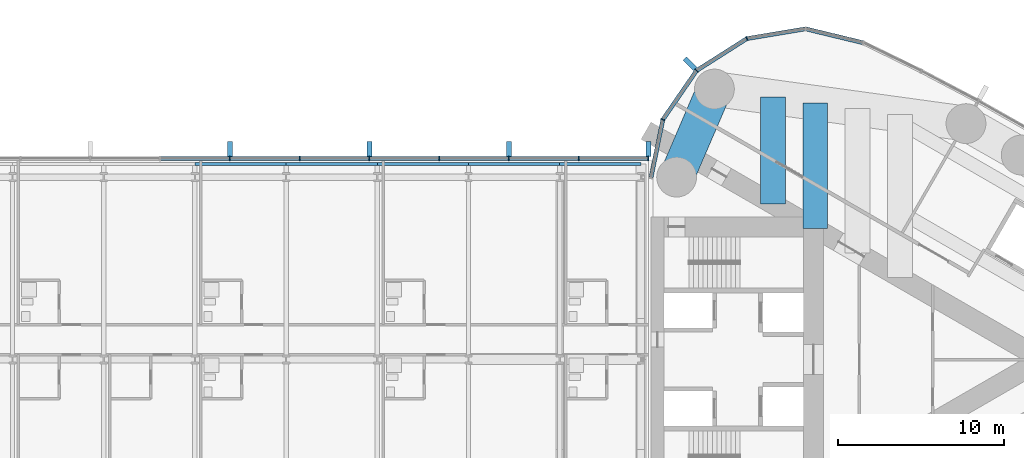
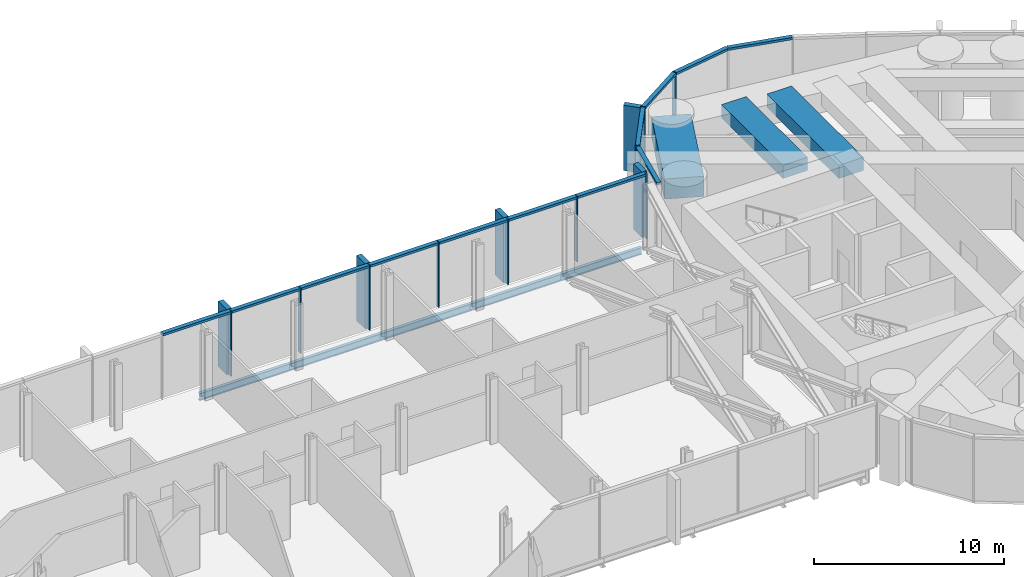
# One storey, part 11 of 23: 27 members, 8 beams, 2 elements without a shape of their own.
"""IFC4 building model written with IfcOpenShell, lengths in metres."""

from ifc_helpers import new_model, si_unit, direction, frame, origin, origin_2d, place, context, subcontext, project, spatial, rectangle, i_section, extrude, material, material_profile, profile_set, type_object, element, aggregate, save


model = new_model("IFC4")

# Units and contexts
model_context = context("Model", 3, precision=1e-05, world=origin(), true_north=direction((0.0, 1.0)))
body_context = subcontext(model_context, "Body", "Model", "MODEL_VIEW")
ifc_project = project(units=[si_unit("LENGTHUNIT", "METRE"), si_unit("AREAUNIT", "SQUARE_METRE"), si_unit("VOLUMEUNIT", "CUBIC_METRE"), si_unit("PLANEANGLEUNIT", "RADIAN"), si_unit("MASSUNIT", "GRAM", prefix="KILO")], contexts=[model_context])

# Site, building, storey
site_placement = place(None, origin())
site = spatial("IfcSite", under=ifc_project, at=site_placement, CompositionType="ELEMENT")
building_placement = place(site_placement, origin())
building = spatial("IfcBuilding", under=site, at=building_placement, Name="Lancet Gate Hotel", CompositionType="ELEMENT")
storey_placement = place(building_placement, frame((0.0, 0.0, 247.699951171875)))
storey = spatial("IfcBuildingStorey", under=building, at=storey_placement, Name="L66", CompositionType="ELEMENT", Elevation=247.699951171875)

# Curtain wall, members
ifc_material_1 = material(Name="Aluminium curtain wall", Category="aluminium")
curtain_wall_type = type_object("IfcCurtainWallType", Name="Sky deck full-height glazing", PredefinedType="USERDEFINED", material=ifc_material_1)
curtain_wall_1_placement = place(storey_placement, origin())
curtain_wall_1 = element("IfcCurtainWall", 1, at=curtain_wall_1_placement, inside=storey, type_object=curtain_wall_type, Name="T2 L66 curtain wall 1", ObjectType="UNITISED CURTAIN WALL", PredefinedType="USERDEFINED")
ifc_material_2 = material(Name="Aluminium mullion", Category="aluminium")
ifc_material_profile_1 = material_profile(ifc_material_2, rectangle(XDim=0.06494140625, YDim=0.25, at=origin_2d()), Name="MULLION 65x250")
ifc_profile_set_1 = profile_set([ifc_material_profile_1], Name="Aluminium mullion")
member_type_1 = type_object("IfcMemberType", Name="Aluminium mullion 65x250", PredefinedType="MULLION", material=ifc_profile_set_1)
member_1_placement = place(storey_placement, frame((33.283203125, 19.353515625, 0.0), z_axis=(0.0, 0.0, 1.0), x_axis=(-0.93394321776, -0.357421412343, 0.0)))
member_1 = element("IfcMember", 2, at=member_1_placement, type_object=member_type_1, Name="T2 L66 curtain wall 1 mullion 24", PredefinedType="MULLION", context=body_context, shape_type="SweptSolid", body=[
    extrude(rectangle(XDim=0.06494140625, YDim=0.25, at=origin_2d()), origin(), (0.0, 0.0, 1.0), 4.199951171875),
])
member_2_placement = place(storey_placement, frame((30.25244140625, 17.42626953125, 0.0), z_axis=(0.0, 0.0, 1.0), x_axis=(-0.719809077627, -0.694172090886, 0.0)))
member_2 = element("IfcMember", 3, at=member_2_placement, type_object=member_type_1, Name="T2 L66 curtain wall 1 mullion 25", PredefinedType="MULLION", context=body_context, shape_type="SweptSolid", body=[
    extrude(rectangle(XDim=0.06494140625, YDim=0.25, at=origin_2d()), origin(), (0.0, 0.0, 1.0), 4.199951171875),
])
member_3_placement = place(storey_placement, frame((28.216552734375, 14.467529296875, 0.0), z_axis=(0.0, 0.0, 1.0), x_axis=(-0.391042139098, -0.920372775265, 0.0)))
member_3 = element("IfcMember", 4, at=member_3_placement, type_object=member_type_1, Name="T2 L66 curtain wall 1 mullion 26", PredefinedType="MULLION", context=body_context, shape_type="SweptSolid", body=[
    extrude(rectangle(XDim=0.06494140625, YDim=0.25, at=origin_2d()), origin(), (0.0, 0.0, 1.0), 4.199951171875),
])

curtain_wall_2_placement = place(storey_placement, origin())
curtain_wall_2 = element("IfcCurtainWall", 5, at=curtain_wall_2_placement, inside=storey, type_object=curtain_wall_type, Name="Bridge block L66 curtain wall N", ObjectType="UNITISED CURTAIN WALL", PredefinedType="USERDEFINED")
member_4_placement = place(storey_placement, frame((27.35009765625, 12.1201171875, 0.0), z_axis=(0.0, 0.0, 1.0), x_axis=(-1.0, 0.0, 0.0)))
member_4 = element("IfcMember", 6, at=member_4_placement, type_object=member_type_1, Name="Bridge block L66 curtain wall N mullion 1", PredefinedType="MULLION", context=body_context, shape_type="SweptSolid", body=[
    extrude(rectangle(XDim=0.06494140625, YDim=0.25, at=origin_2d()), origin(), (0.0, 0.0, 1.0), 4.199951171875),
])
member_5_placement = place(storey_placement, frame((23.142333984375, 12.1201171875, 0.0), z_axis=(0.0, 0.0, 1.0), x_axis=(-1.0, 0.0, 0.0)))
member_5 = element("IfcMember", 7, at=member_5_placement, type_object=member_type_1, Name="Bridge block L66 curtain wall N mullion 2", PredefinedType="MULLION", context=body_context, shape_type="SweptSolid", body=[
    extrude(rectangle(XDim=0.06494140625, YDim=0.25, at=origin_2d()), origin(), (0.0, 0.0, 1.0), 4.199951171875),
])
member_6_placement = place(storey_placement, frame((18.9345703125, 12.1201171875, 0.0), z_axis=(0.0, 0.0, 1.0), x_axis=(-1.0, 0.0, 0.0)))
member_6 = element("IfcMember", 8, at=member_6_placement, type_object=member_type_1, Name="Bridge block L66 curtain wall N mullion 3", PredefinedType="MULLION", context=body_context, shape_type="SweptSolid", body=[
    extrude(rectangle(XDim=0.06494140625, YDim=0.25, at=origin_2d()), origin(), (0.0, 0.0, 1.0), 4.199951171875),
])
member_7_placement = place(storey_placement, frame((14.726806640625, 12.1201171875, 0.0), z_axis=(0.0, 0.0, 1.0), x_axis=(-1.0, 0.0, 0.0)))
member_7 = element("IfcMember", 9, at=member_7_placement, type_object=member_type_1, Name="Bridge block L66 curtain wall N mullion 4", PredefinedType="MULLION", context=body_context, shape_type="SweptSolid", body=[
    extrude(rectangle(XDim=0.06494140625, YDim=0.25, at=origin_2d()), origin(), (0.0, 0.0, 1.0), 4.199951171875),
])
member_8_placement = place(storey_placement, frame((10.519287109375, 12.1201171875, 0.0), z_axis=(0.0, 0.0, 1.0), x_axis=(-1.0, 0.0, 0.0)))
member_8 = element("IfcMember", 10, at=member_8_placement, type_object=member_type_1, Name="Bridge block L66 curtain wall N mullion 5", PredefinedType="MULLION", context=body_context, shape_type="SweptSolid", body=[
    extrude(rectangle(XDim=0.06494140625, YDim=0.25, at=origin_2d()), origin(), (0.0, 0.0, 1.0), 4.199951171875),
])
member_9_placement = place(storey_placement, frame((6.3115234375, 12.1201171875, 0.0), z_axis=(0.0, 0.0, 1.0), x_axis=(-1.0, 0.0, 0.0)))
member_9 = element("IfcMember", 11, at=member_9_placement, type_object=member_type_1, Name="Bridge block L66 curtain wall N mullion 6", PredefinedType="MULLION", context=body_context, shape_type="SweptSolid", body=[
    extrude(rectangle(XDim=0.06494140625, YDim=0.25, at=origin_2d()), origin(), (0.0, 0.0, 1.0), 4.199951171875),
])
member_10_placement = place(storey_placement, frame((2.103759765625, 12.1201171875, 0.0), z_axis=(0.0, 0.0, 1.0), x_axis=(-1.0, 0.0, 0.0)))
member_10 = element("IfcMember", 12, at=member_10_placement, type_object=member_type_1, Name="Bridge block L66 curtain wall N mullion 7", PredefinedType="MULLION", context=body_context, shape_type="SweptSolid", body=[
    extrude(rectangle(XDim=0.06494140625, YDim=0.25, at=origin_2d()), origin(), (0.0, 0.0, 1.0), 4.199951171875),
])

# Member
ifc_material_3 = material(Name="Aluminium transom", Category="aluminium")
ifc_material_profile_2 = material_profile(ifc_material_3, rectangle(XDim=0.25, YDim=0.14990234375, at=origin_2d()), Name="TRANSOM 250x150")
ifc_profile_set_2 = profile_set([ifc_material_profile_2], Name="Aluminium transom")
member_type_2 = type_object("IfcMemberType", Name="Aluminium transom 250x150", PredefinedType="USERDEFINED", material=ifc_profile_set_2)
member_11_placement = place(storey_placement, frame((40.28564453125, 19.10595703125, 4.125), z_axis=(-0.972002653858, 0.234969872307, 0.0), x_axis=(-0.234969872307, -0.972002653858, 0.0)))
member_11 = element("IfcMember", 13, at=member_11_placement, type_object=member_type_2, Name="T2 L66 curtain wall 1 transom 22", ObjectType="TRANSOM", PredefinedType="USERDEFINED", context=body_context, shape_type="SweptSolid", body=[
    extrude(rectangle(XDim=0.25, YDim=0.14990234375, at=origin_2d()), origin(), (0.0, 0.0, 1.0), 3.5263671875),
])

member_12_placement = place(storey_placement, frame((36.794189453125, 19.936767578125, 4.125), z_axis=(-0.986483584545, -0.163860115412, 0.0), x_axis=(0.163860115412, -0.986483584545, 0.0)))
member_12 = element("IfcMember", 14, at=member_12_placement, type_object=member_type_2, Name="T2 L66 curtain wall 1 transom 23", ObjectType="TRANSOM", PredefinedType="USERDEFINED", context=body_context, shape_type="SweptSolid", body=[
    extrude(rectangle(XDim=0.25, YDim=0.14990234375, at=origin_2d()), origin(), (0.0, 0.0, 1.0), 3.526611328125),
])

member_13_placement = place(storey_placement, frame((33.255859375, 19.336181640625, 4.125), z_axis=(-0.84385811281, -0.536566384938, 0.0), x_axis=(0.536566384938, -0.84385811281, 0.0)))
member_13 = element("IfcMember", 15, at=member_13_placement, type_object=member_type_2, Name="T2 L66 curtain wall 1 transom 24", ObjectType="TRANSOM", PredefinedType="USERDEFINED", context=body_context, shape_type="SweptSolid", body=[
    extrude(rectangle(XDim=0.25, YDim=0.14990234375, at=origin_2d()), origin(), (0.0, 0.0, 1.0), 3.52685546875),
])

member_14_placement = place(storey_placement, frame((30.234130859375, 17.399658203125, 4.125), z_axis=(-0.566813768052, -0.82384595183, 0.0), x_axis=(0.82384595183, -0.566813768052, 0.0)))
member_14 = element("IfcMember", 16, at=member_14_placement, type_object=member_type_2, Name="T2 L66 curtain wall 1 transom 25", ObjectType="TRANSOM", PredefinedType="USERDEFINED", context=body_context, shape_type="SweptSolid", body=[
    extrude(rectangle(XDim=0.25, YDim=0.14990234375, at=origin_2d()), origin(), (0.0, 0.0, 1.0), 3.52685546875),
])

member_15_placement = place(storey_placement, frame((28.210205078125, 14.435546875, 4.125), z_axis=(-0.19952323725, -0.979893095086, 0.0), x_axis=(0.979893095086, -0.19952323725, 0.0)))
member_15 = element("IfcMember", 17, at=member_15_placement, type_object=member_type_2, Name="T2 L66 curtain wall 1 transom 26", ObjectType="TRANSOM", PredefinedType="USERDEFINED", context=body_context, shape_type="SweptSolid", body=[
    extrude(rectangle(XDim=0.25, YDim=0.14990234375, at=origin_2d()), origin(), (0.0, 0.0, 1.0), 3.5263671875),
])

member_16_placement = place(storey_placement, frame((27.3173828125, 12.1201171875, 4.125), z_axis=(-1.0, 0.0, 0.0), x_axis=(0.0, -1.0, 0.0)))
member_16 = element("IfcMember", 18, at=member_16_placement, type_object=member_type_2, Name="Bridge block L66 curtain wall N transom 1", ObjectType="TRANSOM", PredefinedType="USERDEFINED", context=body_context, shape_type="SweptSolid", body=[
    extrude(rectangle(XDim=0.25, YDim=0.14990234375, at=origin_2d()), origin(), (0.0, 0.0, 1.0), 4.142578125),
])

member_17_placement = place(storey_placement, frame((23.10986328125, 12.1201171875, 4.125), z_axis=(-1.0, 0.0, 0.0), x_axis=(0.0, -1.0, 0.0)))
member_17 = element("IfcMember", 19, at=member_17_placement, type_object=member_type_2, Name="Bridge block L66 curtain wall N transom 2", ObjectType="TRANSOM", PredefinedType="USERDEFINED", context=body_context, shape_type="SweptSolid", body=[
    extrude(rectangle(XDim=0.25, YDim=0.14990234375, at=origin_2d()), origin(), (0.0, 0.0, 1.0), 4.142822265625),
])

member_18_placement = place(storey_placement, frame((18.902099609375, 12.1201171875, 4.125), z_axis=(-1.0, 0.0, 0.0), x_axis=(0.0, -1.0, 0.0)))
member_18 = element("IfcMember", 20, at=member_18_placement, type_object=member_type_2, Name="Bridge block L66 curtain wall N transom 3", ObjectType="TRANSOM", PredefinedType="USERDEFINED", context=body_context, shape_type="SweptSolid", body=[
    extrude(rectangle(XDim=0.25, YDim=0.14990234375, at=origin_2d()), origin(), (0.0, 0.0, 1.0), 4.142578125),
])

member_19_placement = place(storey_placement, frame((14.6943359375, 12.1201171875, 4.125), z_axis=(-1.0, 0.0, 0.0), x_axis=(0.0, -1.0, 0.0)))
member_19 = element("IfcMember", 21, at=member_19_placement, type_object=member_type_2, Name="Bridge block L66 curtain wall N transom 4", ObjectType="TRANSOM", PredefinedType="USERDEFINED", context=body_context, shape_type="SweptSolid", body=[
    extrude(rectangle(XDim=0.25, YDim=0.14990234375, at=origin_2d()), origin(), (0.0, 0.0, 1.0), 4.142578125),
])

member_20_placement = place(storey_placement, frame((10.48681640625, 12.1201171875, 4.125), z_axis=(-1.0, 0.0, 0.0), x_axis=(0.0, -1.0, 0.0)))
member_20 = element("IfcMember", 22, at=member_20_placement, type_object=member_type_2, Name="Bridge block L66 curtain wall N transom 5", ObjectType="TRANSOM", PredefinedType="USERDEFINED", context=body_context, shape_type="SweptSolid", body=[
    extrude(rectangle(XDim=0.25, YDim=0.14990234375, at=origin_2d()), origin(), (0.0, 0.0, 1.0), 4.142822265625),
])

member_21_placement = place(storey_placement, frame((6.279052734375, 12.1201171875, 4.125), z_axis=(-1.0, 0.0, 0.0), x_axis=(0.0, -1.0, 0.0)))
member_21 = element("IfcMember", 23, at=member_21_placement, type_object=member_type_2, Name="Bridge block L66 curtain wall N transom 6", ObjectType="TRANSOM", PredefinedType="USERDEFINED", context=body_context, shape_type="SweptSolid", body=[
    extrude(rectangle(XDim=0.25, YDim=0.14990234375, at=origin_2d()), origin(), (0.0, 0.0, 1.0), 4.142822265625),
])

member_22_placement = place(storey_placement, frame((2.0712890625, 12.1201171875, 4.125), z_axis=(-1.0, 0.0, 0.0), x_axis=(0.0, -1.0, 0.0)))
member_22 = element("IfcMember", 24, at=member_22_placement, type_object=member_type_2, Name="Bridge block L66 curtain wall N transom 7", ObjectType="TRANSOM", PredefinedType="USERDEFINED", context=body_context, shape_type="SweptSolid", body=[
    extrude(rectangle(XDim=0.25, YDim=0.14990234375, at=origin_2d()), origin(), (0.0, 0.0, 1.0), 4.142578125),
])

# Beams
ifc_material_4 = material(Name="Steel S355", Category="steel")
ifc_material_profile_3 = material_profile(ifc_material_4, i_section(OverallWidth=0.19140625, OverallDepth=0.4599609375, WebThickness=0.010009765625, FlangeThickness=0.01611328125, FilletRadius=0.01025390625, at=origin_2d()), Name="UKB 457x191x82")
ifc_profile_set_3 = profile_set([ifc_material_profile_3], Name="Steel S355")
beam_type_1 = type_object("IfcBeamType", Name="Block edge beam UKB 457x191x82", PredefinedType="SPANDREL", material=ifc_profile_set_3)
for number, where, z_axis, x_axis, name in (
    (25, (0.0, 11.800048828125, -0.429931640625), (1.0, 0.0, 0.0), (0.0, 1.0, 0.0), "Block edge beam N 5-6 L66"),
    (26, (5.5, 11.800048828125, -0.429931640625), (1.0, 0.0, 0.0), (0.0, 1.0, 0.0), "Block edge beam N 6-7 L66"),
    (27, (11.0, 11.800048828125, -0.429931640625), (1.0, 0.0, 0.0), (0.0, 1.0, 0.0), "Block edge beam N 7-8 L66"),
    (28, (16.5, 11.800048828125, -0.429931640625), (1.0, 0.0, 0.0), (0.0, 1.0, 0.0), "Block edge beam N 8-9 L66"),
):
    element("IfcBeam", number, at=place(storey_placement, frame(where, z_axis=z_axis, x_axis=x_axis)), inside=storey, type_object=beam_type_1, Name=name, PredefinedType="SPANDREL", context=body_context, shape_type="SweptSolid", body=[
        extrude(i_section(OverallWidth=0.19140625, OverallDepth=0.4599609375, WebThickness=0.010009765625, FlangeThickness=0.01611328125, FilletRadius=0.01025390625, at=origin_2d()), origin(), (0.0, 0.0, 1.0), 5.5),
    ])
beam_1_placement = place(storey_placement, frame((22.0, 11.800048828125, -0.429931640625), z_axis=(1.0, 0.0, 0.0), x_axis=(0.0, 1.0, 0.0)))
element("IfcBeam", 29, at=beam_1_placement, inside=storey, type_object=beam_type_1, Name="Block edge beam N 9-10 L66", PredefinedType="SPANDREL", context=body_context, shape_type="SweptSolid", body=[
    extrude(i_section(OverallWidth=0.19140625, OverallDepth=0.4599609375, WebThickness=0.010009765625, FlangeThickness=0.01611328125, FilletRadius=0.01025390625, at=origin_2d()), origin(), (0.0, 0.0, 1.0), 4.89990234375),
])
ifc_material_5 = material(Name="Concrete C50/60", Category="concrete")
ifc_material_profile_4 = material_profile(ifc_material_5, rectangle(XDim=2.10009765625, YDim=1.300048828125, at=origin_2d()), Name="RC 2100x1300")
ifc_profile_set_4 = profile_set([ifc_material_profile_4], Name="Concrete C50/60")
beam_type_2 = type_object("IfcBeamType", Name="Edge beam RC 2100x1300", PredefinedType="SPANDREL", material=ifc_profile_set_4)
beam_2_placement = place(storey_placement, frame((29.050048828125, 11.0, 3.300048828125), z_axis=(0.394250694824, 0.91900293233, 0.0), x_axis=(-0.91900293233, 0.394250694824, 0.0)))
element("IfcBeam", 30, at=beam_2_placement, inside=storey, type_object=beam_type_2, Name="T2 edge beam EB1 L66", PredefinedType="SPANDREL", context=body_context, shape_type="SweptSolid", body=[
    extrude(rectangle(XDim=2.10009765625, YDim=1.300048828125, at=origin_2d()), origin(), (0.0, 0.0, 1.0), 5.77880859375),
])

# Member
ifc_material_6 = material(Name="Precast concrete C50/60", Category="concrete")
ifc_material_profile_5 = material_profile(ifc_material_6, rectangle(XDim=0.300048828125, YDim=0.89990234375, at=origin_2d()), Name="FIN 300x900")
ifc_profile_set_5 = profile_set([ifc_material_profile_5], Name="Precast concrete C50/60")
member_type_3 = type_object("IfcMemberType", Name="Exposed concrete fin 300x900", PredefinedType="USERDEFINED", material=ifc_profile_set_5)
member_23_placement = place(storey_placement, frame((29.853271484375, 17.84033203125, 0.0), z_axis=(0.0, 0.0, 1.0), x_axis=(-0.719809077627, -0.694172090886, 0.0)))
member_23 = element("IfcMember", 31, at=member_23_placement, type_object=member_type_3, Name="T2 L66 curtain wall 1 fin 25", ObjectType="FIN", PredefinedType="USERDEFINED", context=body_context, shape_type="SweptSolid", body=[
    extrude(rectangle(XDim=0.300048828125, YDim=0.89990234375, at=origin_2d()), origin(), (0.0, 0.0, 1.0), 4.199951171875),
])

aggregate(curtain_wall_1, [member_1, member_2, member_23, member_3, member_11, member_12, member_13, member_14, member_15])

member_24_placement = place(storey_placement, frame((27.35009765625, 12.695068359375, 0.0), z_axis=(0.0, 0.0, 1.0), x_axis=(-1.0, 0.0, 0.0)))
member_24 = element("IfcMember", 32, at=member_24_placement, type_object=member_type_3, Name="Bridge block L66 curtain wall N fin 1", ObjectType="FIN", PredefinedType="USERDEFINED", context=body_context, shape_type="SweptSolid", body=[
    extrude(rectangle(XDim=0.300048828125, YDim=0.89990234375, at=origin_2d()), origin(), (0.0, 0.0, 1.0), 4.199951171875),
])

member_25_placement = place(storey_placement, frame((18.9345703125, 12.695068359375, 0.0), z_axis=(0.0, 0.0, 1.0), x_axis=(-1.0, 0.0, 0.0)))
member_25 = element("IfcMember", 33, at=member_25_placement, type_object=member_type_3, Name="Bridge block L66 curtain wall N fin 3", ObjectType="FIN", PredefinedType="USERDEFINED", context=body_context, shape_type="SweptSolid", body=[
    extrude(rectangle(XDim=0.300048828125, YDim=0.89990234375, at=origin_2d()), origin(), (0.0, 0.0, 1.0), 4.199951171875),
])

member_26_placement = place(storey_placement, frame((10.519287109375, 12.695068359375, 0.0), z_axis=(0.0, 0.0, 1.0), x_axis=(-1.0, 0.0, 0.0)))
member_26 = element("IfcMember", 34, at=member_26_placement, type_object=member_type_3, Name="Bridge block L66 curtain wall N fin 5", ObjectType="FIN", PredefinedType="USERDEFINED", context=body_context, shape_type="SweptSolid", body=[
    extrude(rectangle(XDim=0.300048828125, YDim=0.89990234375, at=origin_2d()), origin(), (0.0, 0.0, 1.0), 4.199951171875),
])

member_27_placement = place(storey_placement, frame((2.103759765625, 12.695068359375, 0.0), z_axis=(0.0, 0.0, 1.0), x_axis=(-1.0, 0.0, 0.0)))
member_27 = element("IfcMember", 35, at=member_27_placement, type_object=member_type_3, Name="Bridge block L66 curtain wall N fin 7", ObjectType="FIN", PredefinedType="USERDEFINED", context=body_context, shape_type="SweptSolid", body=[
    extrude(rectangle(XDim=0.300048828125, YDim=0.89990234375, at=origin_2d()), origin(), (0.0, 0.0, 1.0), 4.199951171875),
])

aggregate(curtain_wall_2, [member_4, member_24, member_5, member_6, member_25, member_7, member_8, member_26, member_9, member_10, member_27, member_16, member_17, member_18, member_19, member_20, member_21, member_22])

# Beams
ifc_material_7 = material(Name="Concrete C50/60", Category="concrete")
ifc_material_profile_6 = material_profile(ifc_material_7, rectangle(XDim=1.5, YDim=0.85009765625, at=origin_2d()), Name="RC 1500x850")
ifc_profile_set_6 = profile_set([ifc_material_profile_6], Name="Concrete C50/60")
beam_type_3 = type_object("IfcBeamType", Name="Floor beam RC 1500x850", PredefinedType="BEAM", material=ifc_profile_set_6)
beam_3_placement = place(storey_placement, frame((34.859619140625, 9.377685546875, 3.525146484375), z_axis=(0.0, 1.0, 0.0), x_axis=(-1.0, 0.0, 0.0)))
element("IfcBeam", 36, at=beam_3_placement, inside=storey, type_object=beam_type_3, Name="T2 floor beam F02N L66", PredefinedType="BEAM", context=body_context, shape_type="SweptSolid", body=[
    extrude(rectangle(XDim=1.5, YDim=0.85009765625, at=origin_2d()), origin(), (0.0, 0.0, 1.0), 6.44775390625),
])
beam_4_placement = place(storey_placement, frame((37.412841796875, 7.903564453125, 3.525146484375), z_axis=(0.0, 1.0, 0.0), x_axis=(-1.0, 0.0, 0.0)))
element("IfcBeam", 37, at=beam_4_placement, inside=storey, type_object=beam_type_3, Name="T2 floor beam F04N L66", PredefinedType="BEAM", context=body_context, shape_type="SweptSolid", body=[
    extrude(rectangle(XDim=1.5, YDim=0.85009765625, at=origin_2d()), origin(), (0.0, 0.0, 1.0), 7.57080078125),
])

save(model, "model.ifc")
